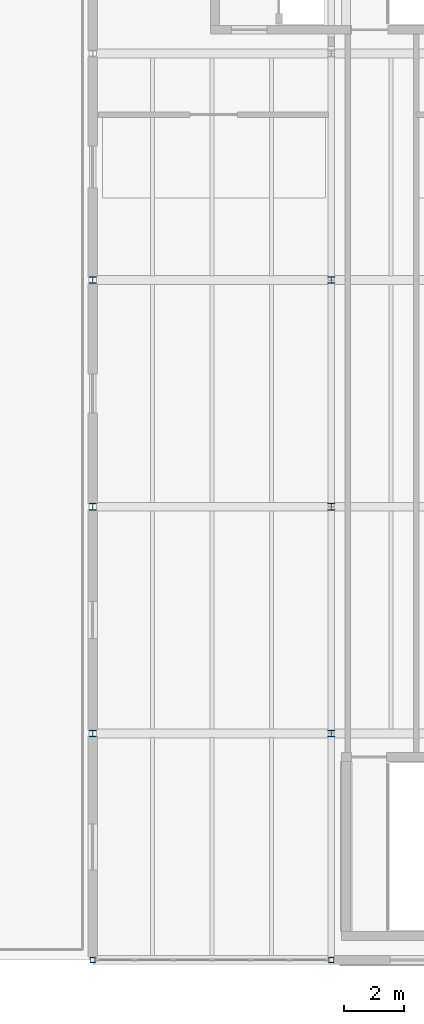
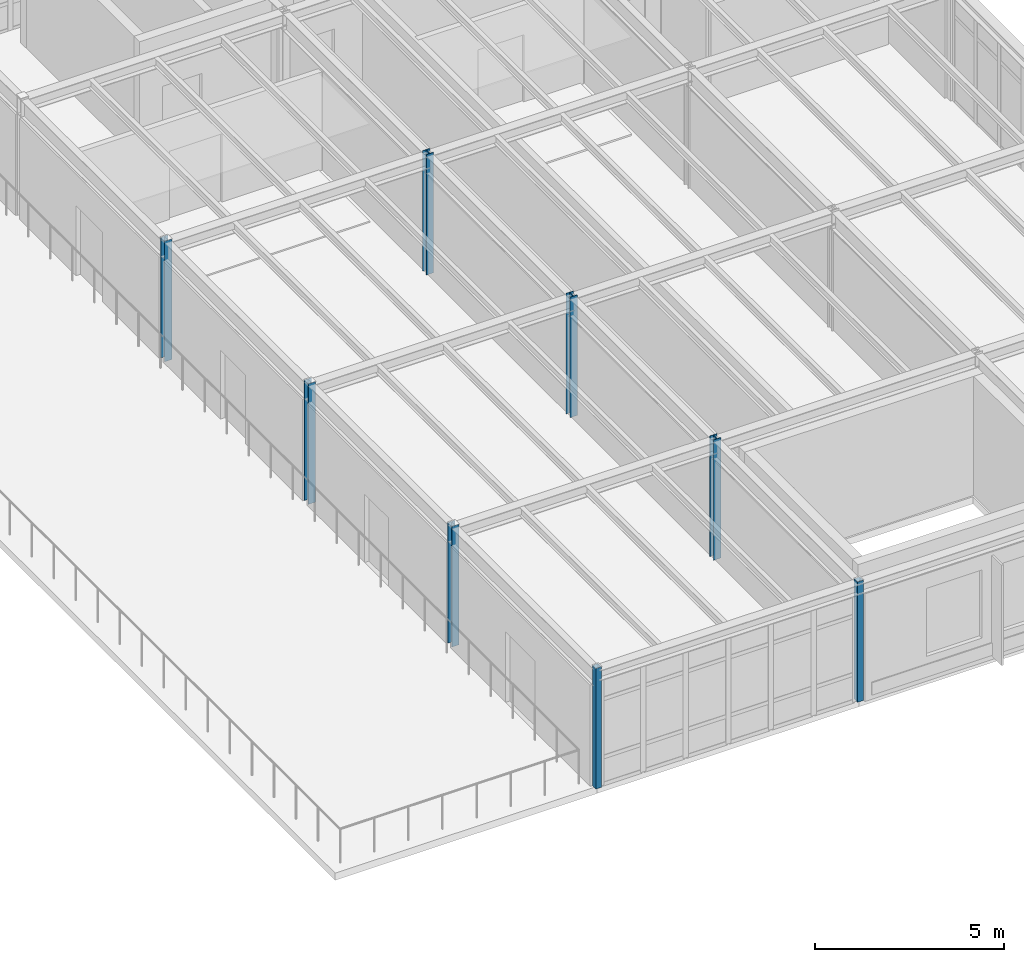
# One storey, part 8 of 65: 8 columns.
"""IFC4 building model written with IfcOpenShell, lengths in metres."""

from ifc_helpers import new_model, si_unit, direction, frame, origin, origin_2d, place, context, subcontext, project, spatial, hollow_rectangle, i_section, extrude, material, material_profile, profile_set, type_object, element, save


model = new_model("IFC4")

# Units and contexts
model_context = context("Model", 3, precision=1e-05, world=origin(), true_north=direction((0.0, 1.0)))
body_context = subcontext(model_context, "Body", "Model", "MODEL_VIEW")
ifc_project = project(units=[si_unit("LENGTHUNIT", "METRE"), si_unit("AREAUNIT", "SQUARE_METRE"), si_unit("VOLUMEUNIT", "CUBIC_METRE"), si_unit("PLANEANGLEUNIT", "RADIAN"), si_unit("MASSUNIT", "GRAM", prefix="KILO")], contexts=[model_context])

# Site, building, storey
site_placement = place(None, origin())
site = spatial("IfcSite", under=ifc_project, at=site_placement, CompositionType="ELEMENT")
building_placement = place(site_placement, origin())
building = spatial("IfcBuilding", under=site, at=building_placement, Name="Montecoro Central Library", CompositionType="ELEMENT")
storey_placement = place(building_placement, frame((0.0, 0.0, 17.340087890625)))
storey = spatial("IfcBuildingStorey", under=building, at=storey_placement, Name="L04", CompositionType="ELEMENT", Elevation=17.340087890625)

# Columns
ifc_material = material(Name="Steel S355", Category="steel")
ifc_material_profile_1 = material_profile(ifc_material, i_section(OverallWidth=0.219970703125, OverallDepth=0.219970703125, WebThickness=0.009521484375, FlangeThickness=0.01611328125, at=origin_2d()), Name="HEB 220")
ifc_profile_set_1 = profile_set([ifc_material_profile_1], Name="Steel S355")
column_type_1 = type_object("IfcColumnType", Name="COL-HEB220", PredefinedType="COLUMN", material=ifc_profile_set_1)
for number, where, z_axis, x_axis, name in (
    (1, (149.0, 12.60009765625, 0.0), (0.0, 0.0, 1.0), (1.0, 0.0, 0.0), "V6-L04-COL-19-B"),
    (2, (149.0, 20.199951171875, 0.0), (0.0, 0.0, 1.0), (1.0, 0.0, 0.0), "V6-L04-COL-19-C"),
    (3, (149.0, 27.800048828125, 0.0), (0.0, 0.0, 1.0), (1.0, 0.0, 0.0), "V6-L04-COL-19-D"),
    (4, (157.0, 12.60009765625, 0.0), (0.0, 0.0, 1.0), (1.0, 0.0, 0.0), "V6-L04-COL-20-B"),
    (5, (157.0, 20.199951171875, 0.0), (0.0, 0.0, 1.0), (1.0, 0.0, 0.0), "V6-L04-COL-20-C"),
    (6, (157.0, 27.800048828125, 0.0), (0.0, 0.0, 1.0), (1.0, 0.0, 0.0), "V6-L04-COL-20-D"),
):
    element("IfcColumn", number, at=place(storey_placement, frame(where, z_axis=z_axis, x_axis=x_axis)), inside=storey, type_object=column_type_1, Name=name, PredefinedType="COLUMN", context=body_context, shape_type="SweptSolid", body=[
        extrude(i_section(OverallWidth=0.219970703125, OverallDepth=0.219970703125, WebThickness=0.009521484375, FlangeThickness=0.01611328125, at=origin_2d()), origin(), (0.0, 0.0, 1.0), 3.889892578125),
    ])
ifc_material_profile_2 = material_profile(ifc_material, hollow_rectangle(XDim=0.179931640625, YDim=0.179931640625, WallThickness=0.010009765625, at=origin_2d()), Name="SHS 180x180x10.0")
ifc_profile_set_2 = profile_set([ifc_material_profile_2], Name="Steel S355")
column_type_2 = type_object("IfcColumnType", Name="COL-SHS180", PredefinedType="COLUMN", material=ifc_profile_set_2)
for number, where, z_axis, x_axis, name in (
    (7, (149.0, 5.0, 0.0), (0.0, 0.0, 1.0), (1.0, 0.0, 0.0), "V6-L04-COL-19-A"),
    (8, (157.0, 5.0, 0.0), (0.0, 0.0, 1.0), (1.0, 0.0, 0.0), "V6-L04-COL-20-A"),
):
    element("IfcColumn", number, at=place(storey_placement, frame(where, z_axis=z_axis, x_axis=x_axis)), inside=storey, type_object=column_type_2, Name=name, PredefinedType="COLUMN", context=body_context, shape_type="SweptSolid", body=[
        extrude(hollow_rectangle(XDim=0.179931640625, YDim=0.179931640625, WallThickness=0.010009765625, at=origin_2d()), origin(), (0.0, 0.0, 1.0), 3.889892578125),
    ])

save(model, "model.ifc")
